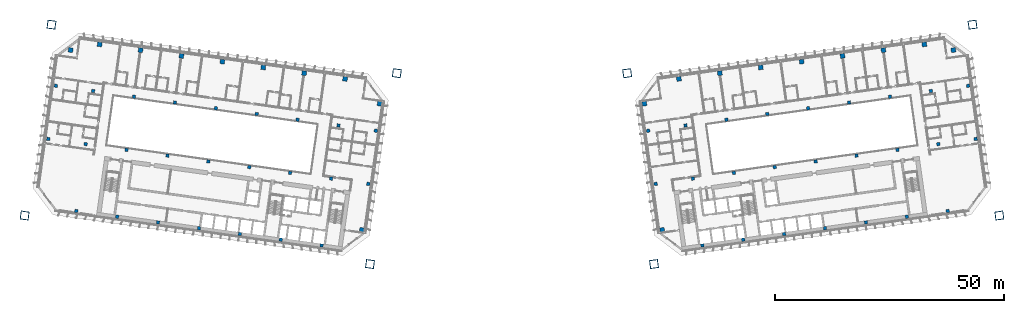
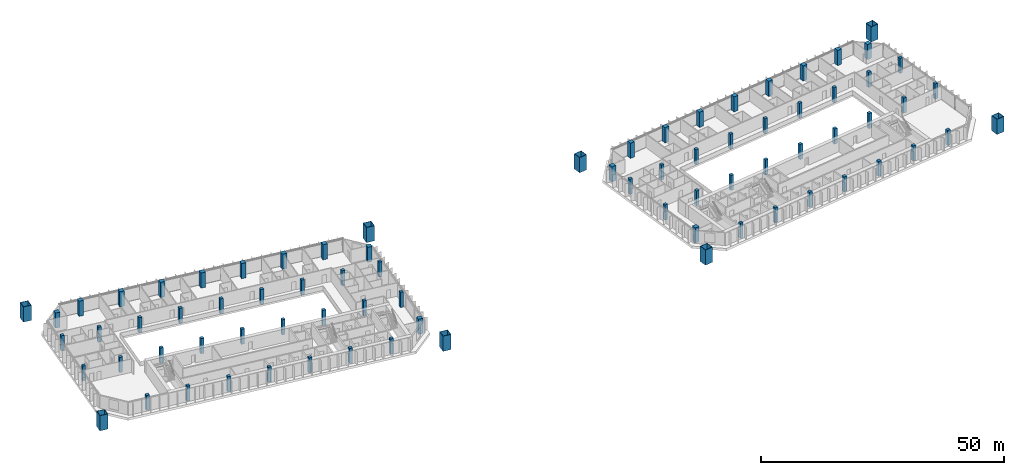
# One storey, part 1 of 25: 78 columns.
"""IFC4 building model written with IfcOpenShell, lengths in metres."""

from ifc_helpers import new_model, si_unit, direction, frame, origin, origin_2d, place, context, subcontext, project, spatial, rectangle, hollow_rectangle, extrude, material, material_profile, profile_set, type_object, element, save


model = new_model("IFC4")

# Units and contexts
model_context = context("Model", 3, precision=1e-05, world=origin(), true_north=direction((0.0, 1.0)))
body_context = subcontext(model_context, "Body", "Model", "MODEL_VIEW")
ifc_project = project(units=[si_unit("LENGTHUNIT", "METRE"), si_unit("AREAUNIT", "SQUARE_METRE"), si_unit("VOLUMEUNIT", "CUBIC_METRE"), si_unit("PLANEANGLEUNIT", "RADIAN"), si_unit("MASSUNIT", "GRAM", prefix="KILO")], contexts=[model_context])

# Site, building, storey
site_placement = place(None, origin())
site = spatial("IfcSite", under=ifc_project, at=site_placement, CompositionType="ELEMENT")
building_placement = place(site_placement, origin())
building = spatial("IfcBuilding", under=site, at=building_placement, Name="Mirante Cascada Hotel Towers", CompositionType="ELEMENT")
storey_placement = place(building_placement, frame((0.0, 0.0, 69.9)))
storey = spatial("IfcBuildingStorey", under=building, at=storey_placement, Name="L14", CompositionType="ELEMENT", Elevation=69.9)

# Columns
ifc_material_1 = material(Name="Steel ASTM A572 Gr 50", Category="steel")
ifc_material_profile_1 = material_profile(ifc_material_1, hollow_rectangle(XDim=1.8, YDim=1.8, WallThickness=0.08, at=origin_2d()), Name="Box column 1800x1800x80 ASTM A572 Gr 50")
ifc_profile_set_1 = profile_set([ifc_material_profile_1], Name="Steel ASTM A572 Gr 50")
column_type_1 = type_object("IfcColumnType", Name="Box column 1800x1800x80 ASTM A572 Gr 50", PredefinedType="COLUMN", material=ifc_profile_set_1)
for number, where, z_axis, x_axis, name in (
    (1, (-25.0968, 18.5173, 0.0), (0.0, 0.0, 1.0), (-0.9902681, 0.1391731, 0.0), "Mega column MC1 T1 L14"),
    (2, (-30.9421, -23.074, 0.0), (0.0, 0.0, 1.0), (-0.9902681, 0.1391731, 0.0), "Mega column MC2 T1 L14"),
    (3, (-100.3572, 29.0944, 0.0), (0.0, 0.0, 1.0), (-0.9902681, 0.1391731, 0.0), "Mega column MC3 T1 L14"),
    (4, (-106.2025, -12.4968, 0.0), (0.0, 0.0, 1.0), (-0.9902681, 0.1391731, 0.0), "Mega column MC4 T1 L14"),
    (5, (25.0968, 18.5173, 0.0), (0.0, 0.0, 1.0), (0.9902681, 0.1391731, 0.0), "Mega column MC1 T2 L14"),
    (6, (30.9421, -23.074, 0.0), (0.0, 0.0, 1.0), (0.9902681, 0.1391731, 0.0), "Mega column MC2 T2 L14"),
    (7, (100.3572, 29.0944, 0.0), (0.0, 0.0, 1.0), (0.9902681, 0.1391731, 0.0), "Mega column MC3 T2 L14"),
    (8, (106.2025, -12.4968, 0.0), (0.0, 0.0, 1.0), (0.9902681, 0.1391731, 0.0), "Mega column MC4 T2 L14"),
):
    element("IfcColumn", number, at=place(storey_placement, frame(where, z_axis=z_axis, x_axis=x_axis)), inside=storey, type_object=column_type_1, Name=name, PredefinedType="COLUMN", context=body_context, shape_type="SweptSolid", body=[
        extrude(hollow_rectangle(XDim=1.8, YDim=1.8, WallThickness=0.08, at=origin_2d()), origin(), (0.0, 0.0, 1.0), 3.8),
    ])
ifc_material_2 = material(Name="Concrete C60/75", Category="concrete")
ifc_material_profile_2 = material_profile(ifc_material_2, rectangle(XDim=1.0, YDim=1.0, at=origin_2d()), Name="RC column 1000x1000 C60/75")
ifc_profile_set_2 = profile_set([ifc_material_profile_2], Name="Concrete C60/75")
column_type_2 = type_object("IfcColumnType", Name="RC column 1000x1000 C60/75", PredefinedType="COLUMN", material=ifc_profile_set_2)
for number, where, z_axis, x_axis, name in (
    (9, (-28.8577, 11.8761, 0.0), (0.0, 0.0, 1.0), (-0.9902681, 0.1391731, 0.0), "Column T1 L14 1"),
    (10, (-32.7267, -15.6534, 0.0), (0.0, 0.0, 1.0), (-0.9902681, 0.1391731, 0.0), "Column T1 L14 4"),
    (11, (-36.3795, 17.2754, 0.0), (0.0, 0.0, 1.0), (-0.9902681, 0.1391731, 0.0), "Column T1 L14 5"),
    (12, (-45.2919, 18.528, 0.0), (0.0, 0.0, 1.0), (-0.9902681, 0.1391731, 0.0), "Column T1 L14 9"),
    (13, (-54.2043, 19.7806, 0.0), (0.0, 0.0, 1.0), (-0.9902681, 0.1391731, 0.0), "Column T1 L14 13"),
    (14, (-63.1167, 21.0331, 0.0), (0.0, 0.0, 1.0), (-0.9902681, 0.1391731, 0.0), "Column T1 L14 17"),
    (15, (-72.0291, 22.2857, 0.0), (0.0, 0.0, 1.0), (-0.9902681, 0.1391731, 0.0), "Column T1 L14 21"),
    (16, (-80.9415, 23.5382, 0.0), (0.0, 0.0, 1.0), (-0.9902681, 0.1391731, 0.0), "Column T1 L14 25"),
    (17, (-89.8539, 24.7908, 0.0), (0.0, 0.0, 1.0), (-0.9902681, 0.1391731, 0.0), "Column T1 L14 29"),
    (18, (-96.1868, 23.5602, 0.0), (0.0, 0.0, 1.0), (-0.9902681, 0.1391731, 0.0), "Column T1 L14 33"),
    (19, (28.8577, 11.8761, 0.0), (0.0, 0.0, 1.0), (0.9902681, 0.1391731, 0.0), "Column T2 L14 1"),
    (20, (32.7267, -15.6534, 0.0), (0.0, 0.0, 1.0), (0.9902681, 0.1391731, 0.0), "Column T2 L14 4"),
    (21, (36.3795, 17.2754, 0.0), (0.0, 0.0, 1.0), (0.9902681, 0.1391731, 0.0), "Column T2 L14 5"),
    (22, (45.2919, 18.528, 0.0), (0.0, 0.0, 1.0), (0.9902681, 0.1391731, 0.0), "Column T2 L14 9"),
    (23, (54.2043, 19.7806, 0.0), (0.0, 0.0, 1.0), (0.9902681, 0.1391731, 0.0), "Column T2 L14 13"),
    (24, (63.1167, 21.0331, 0.0), (0.0, 0.0, 1.0), (0.9902681, 0.1391731, 0.0), "Column T2 L14 17"),
    (25, (72.0291, 22.2857, 0.0), (0.0, 0.0, 1.0), (0.9902681, 0.1391731, 0.0), "Column T2 L14 21"),
    (26, (80.9415, 23.5382, 0.0), (0.0, 0.0, 1.0), (0.9902681, 0.1391731, 0.0), "Column T2 L14 25"),
    (27, (89.8539, 24.7908, 0.0), (0.0, 0.0, 1.0), (0.9902681, 0.1391731, 0.0), "Column T2 L14 29"),
    (28, (96.1868, 23.5602, 0.0), (0.0, 0.0, 1.0), (0.9902681, 0.1391731, 0.0), "Column T2 L14 33"),
):
    element("IfcColumn", number, at=place(storey_placement, frame(where, z_axis=z_axis, x_axis=x_axis)), inside=storey, type_object=column_type_2, Name=name, PredefinedType="COLUMN", context=body_context, shape_type="SweptSolid", body=[
        extrude(rectangle(XDim=1.0, YDim=1.0, at=origin_2d()), origin(), (0.0, 0.0, 1.0), 3.8),
    ])
ifc_material_3 = material(Name="Concrete C60/75", Category="concrete")
ifc_material_profile_3 = material_profile(ifc_material_3, rectangle(XDim=0.7, YDim=0.7, at=origin_2d()), Name="RC column 700x700 C60/75")
ifc_profile_set_3 = profile_set([ifc_material_profile_3], Name="Concrete C60/75")
column_type_3 = type_object("IfcColumnType", Name="RC column 700x700 C60/75", PredefinedType="COLUMN", material=ifc_profile_set_3)
for number, where, z_axis, x_axis, name in (
    (29, (-29.6858, 5.984, 0.0), (0.0, 0.0, 1.0), (-0.9902681, 0.1391731, 0.0), "Column T1 L14 2"),
    (30, (-31.3141, -5.6022, 0.0), (0.0, 0.0, 1.0), (-0.9902681, 0.1391731, 0.0), "Column T1 L14 3"),
    (31, (-37.806, 7.1252, 0.0), (0.0, 0.0, 1.0), (-0.9902681, 0.1391731, 0.0), "Column T1 L14 6"),
    (32, (-39.4343, -4.4609, 0.0), (0.0, 0.0, 1.0), (-0.9902681, 0.1391731, 0.0), "Column T1 L14 7"),
    (33, (-41.4802, -19.0179, 0.0), (0.0, 0.0, 1.0), (-0.9902681, 0.1391731, 0.0), "Column T1 L14 8"),
    (34, (-46.7184, 8.3777, 0.0), (0.0, 0.0, 1.0), (-0.9902681, 0.1391731, 0.0), "Column T1 L14 10"),
    (35, (-48.3467, -3.2084, 0.0), (0.0, 0.0, 1.0), (-0.9902681, 0.1391731, 0.0), "Column T1 L14 11"),
    (36, (-50.3926, -17.7653, 0.0), (0.0, 0.0, 1.0), (-0.9902681, 0.1391731, 0.0), "Column T1 L14 12"),
    (37, (-55.6308, 9.6303, 0.0), (0.0, 0.0, 1.0), (-0.9902681, 0.1391731, 0.0), "Column T1 L14 14"),
    (38, (-57.2591, -1.9558, 0.0), (0.0, 0.0, 1.0), (-0.9902681, 0.1391731, 0.0), "Column T1 L14 15"),
    (39, (-59.305, -16.5128, 0.0), (0.0, 0.0, 1.0), (-0.9902681, 0.1391731, 0.0), "Column T1 L14 16"),
    (40, (-64.5432, 10.8829, 0.0), (0.0, 0.0, 1.0), (-0.9902681, 0.1391731, 0.0), "Column T1 L14 18"),
    (41, (-66.1716, -0.7033, 0.0), (0.0, 0.0, 1.0), (-0.9902681, 0.1391731, 0.0), "Column T1 L14 19"),
    (42, (-68.2174, -15.2602, 0.0), (0.0, 0.0, 1.0), (-0.9902681, 0.1391731, 0.0), "Column T1 L14 20"),
    (43, (-73.4556, 12.1354, 0.0), (0.0, 0.0, 1.0), (-0.9902681, 0.1391731, 0.0), "Column T1 L14 22"),
    (44, (-75.084, 0.5493, 0.0), (0.0, 0.0, 1.0), (-0.9902681, 0.1391731, 0.0), "Column T1 L14 23"),
    (45, (-77.1298, -14.0077, 0.0), (0.0, 0.0, 1.0), (-0.9902681, 0.1391731, 0.0), "Column T1 L14 24"),
    (46, (-82.368, 13.388, 0.0), (0.0, 0.0, 1.0), (-0.9902681, 0.1391731, 0.0), "Column T1 L14 26"),
    (47, (-83.9964, 1.8018, 0.0), (0.0, 0.0, 1.0), (-0.9902681, 0.1391731, 0.0), "Column T1 L14 27"),
    (48, (-86.0422, -12.7551, 0.0), (0.0, 0.0, 1.0), (-0.9902681, 0.1391731, 0.0), "Column T1 L14 28"),
    (49, (-91.2805, 14.6405, 0.0), (0.0, 0.0, 1.0), (-0.9902681, 0.1391731, 0.0), "Column T1 L14 30"),
    (50, (-92.9088, 3.0544, 0.0), (0.0, 0.0, 1.0), (-0.9902681, 0.1391731, 0.0), "Column T1 L14 31"),
    (51, (-94.9546, -11.5025, 0.0), (0.0, 0.0, 1.0), (-0.9902681, 0.1391731, 0.0), "Column T1 L14 32"),
    (52, (-99.4007, 15.7818, 0.0), (0.0, 0.0, 1.0), (-0.9902681, 0.1391731, 0.0), "Column T1 L14 34"),
    (53, (-101.029, 4.1956, 0.0), (0.0, 0.0, 1.0), (-0.9902681, 0.1391731, 0.0), "Column T1 L14 35"),
    (54, (29.6858, 5.984, 0.0), (0.0, 0.0, 1.0), (0.9902681, 0.1391731, 0.0), "Column T2 L14 2"),
    (55, (31.3141, -5.6022, 0.0), (0.0, 0.0, 1.0), (0.9902681, 0.1391731, 0.0), "Column T2 L14 3"),
    (56, (37.806, 7.1252, 0.0), (0.0, 0.0, 1.0), (0.9902681, 0.1391731, 0.0), "Column T2 L14 6"),
    (57, (39.4343, -4.4609, 0.0), (0.0, 0.0, 1.0), (0.9902681, 0.1391731, 0.0), "Column T2 L14 7"),
    (58, (41.4802, -19.0179, 0.0), (0.0, 0.0, 1.0), (0.9902681, 0.1391731, 0.0), "Column T2 L14 8"),
    (59, (46.7184, 8.3777, 0.0), (0.0, 0.0, 1.0), (0.9902681, 0.1391731, 0.0), "Column T2 L14 10"),
    (60, (48.3467, -3.2084, 0.0), (0.0, 0.0, 1.0), (0.9902681, 0.1391731, 0.0), "Column T2 L14 11"),
    (61, (50.3926, -17.7653, 0.0), (0.0, 0.0, 1.0), (0.9902681, 0.1391731, 0.0), "Column T2 L14 12"),
    (62, (55.6308, 9.6303, 0.0), (0.0, 0.0, 1.0), (0.9902681, 0.1391731, 0.0), "Column T2 L14 14"),
    (63, (57.2591, -1.9558, 0.0), (0.0, 0.0, 1.0), (0.9902681, 0.1391731, 0.0), "Column T2 L14 15"),
    (64, (59.305, -16.5128, 0.0), (0.0, 0.0, 1.0), (0.9902681, 0.1391731, 0.0), "Column T2 L14 16"),
    (65, (64.5432, 10.8829, 0.0), (0.0, 0.0, 1.0), (0.9902681, 0.1391731, 0.0), "Column T2 L14 18"),
    (66, (66.1716, -0.7033, 0.0), (0.0, 0.0, 1.0), (0.9902681, 0.1391731, 0.0), "Column T2 L14 19"),
    (67, (68.2174, -15.2602, 0.0), (0.0, 0.0, 1.0), (0.9902681, 0.1391731, 0.0), "Column T2 L14 20"),
    (68, (73.4556, 12.1354, 0.0), (0.0, 0.0, 1.0), (0.9902681, 0.1391731, 0.0), "Column T2 L14 22"),
    (69, (75.084, 0.5493, 0.0), (0.0, 0.0, 1.0), (0.9902681, 0.1391731, 0.0), "Column T2 L14 23"),
    (70, (77.1298, -14.0077, 0.0), (0.0, 0.0, 1.0), (0.9902681, 0.1391731, 0.0), "Column T2 L14 24"),
    (71, (82.368, 13.388, 0.0), (0.0, 0.0, 1.0), (0.9902681, 0.1391731, 0.0), "Column T2 L14 26"),
    (72, (83.9964, 1.8018, 0.0), (0.0, 0.0, 1.0), (0.9902681, 0.1391731, 0.0), "Column T2 L14 27"),
    (73, (86.0422, -12.7551, 0.0), (0.0, 0.0, 1.0), (0.9902681, 0.1391731, 0.0), "Column T2 L14 28"),
    (74, (91.2805, 14.6405, 0.0), (0.0, 0.0, 1.0), (0.9902681, 0.1391731, 0.0), "Column T2 L14 30"),
    (75, (92.9088, 3.0544, 0.0), (0.0, 0.0, 1.0), (0.9902681, 0.1391731, 0.0), "Column T2 L14 31"),
    (76, (94.9546, -11.5025, 0.0), (0.0, 0.0, 1.0), (0.9902681, 0.1391731, 0.0), "Column T2 L14 32"),
    (77, (99.4007, 15.7818, 0.0), (0.0, 0.0, 1.0), (0.9902681, 0.1391731, 0.0), "Column T2 L14 34"),
    (78, (101.029, 4.1956, 0.0), (0.0, 0.0, 1.0), (0.9902681, 0.1391731, 0.0), "Column T2 L14 35"),
):
    element("IfcColumn", number, at=place(storey_placement, frame(where, z_axis=z_axis, x_axis=x_axis)), inside=storey, type_object=column_type_3, Name=name, PredefinedType="COLUMN", context=body_context, shape_type="SweptSolid", body=[
        extrude(rectangle(XDim=0.7, YDim=0.7, at=origin_2d()), origin(), (0.0, 0.0, 1.0), 3.8),
    ])

save(model, "model.ifc")
